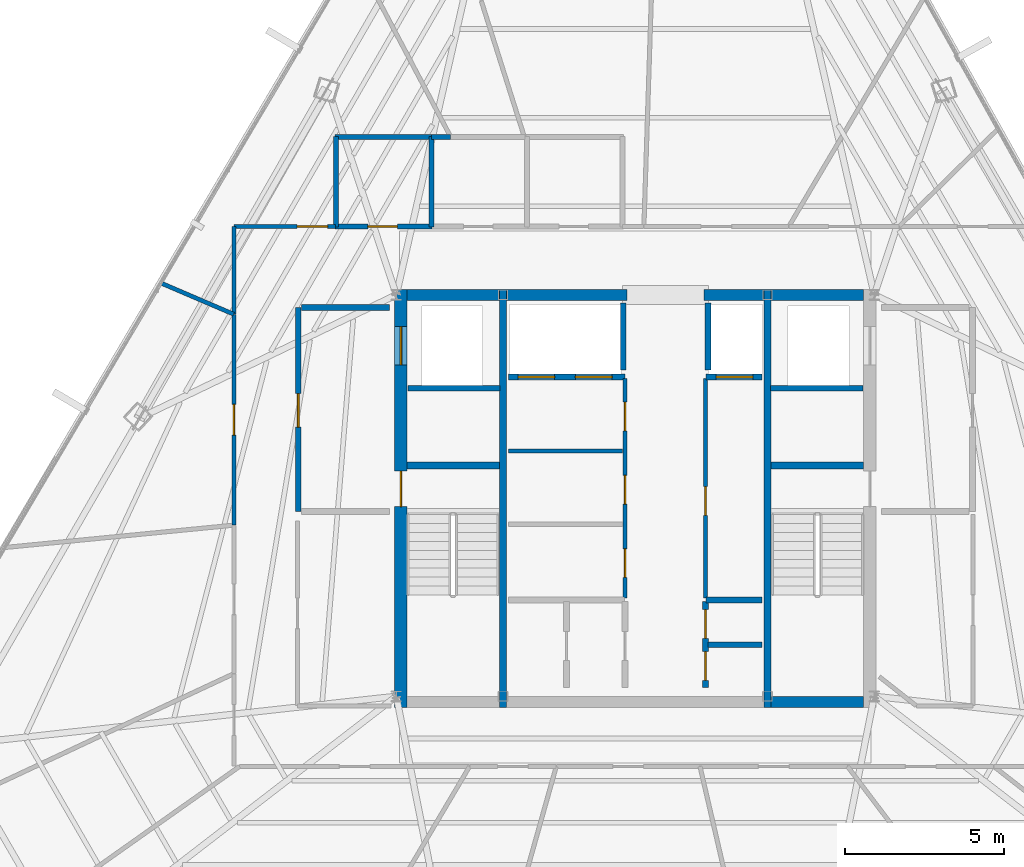
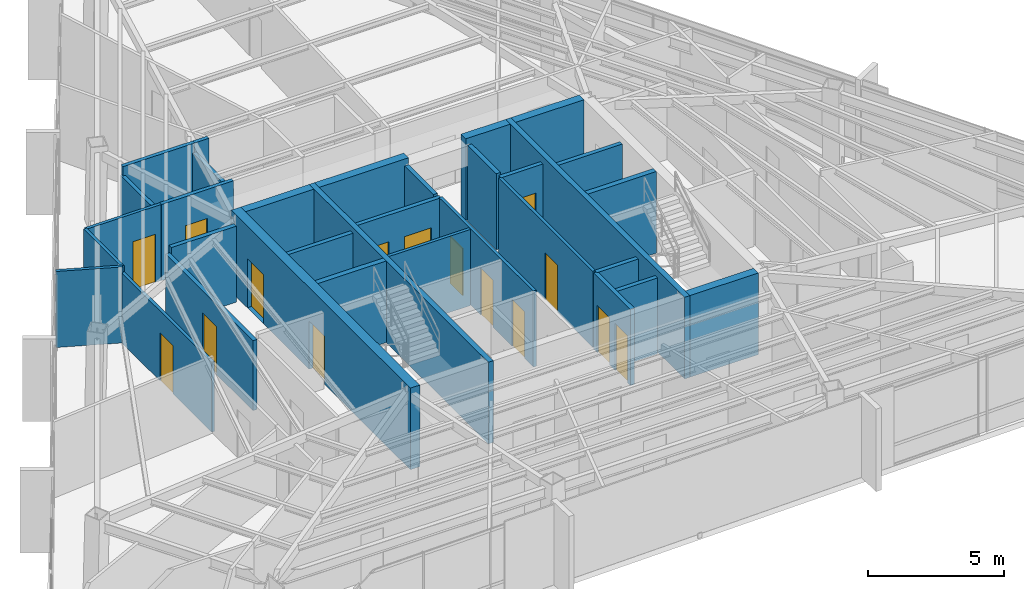
# One storey, part 40 of 44: 33 walls, 15 doors, 15 openings.
"""IFC4 building model written with IfcOpenShell, lengths in metres."""

from ifc_helpers import new_model, si_unit, direction, frame, frame_2d, origin, place, context, subcontext, project, spatial, rectangle, extrude, material, layer, layer_set, type_object, element, fill, save


model = new_model("IFC4")

# Units and contexts
model_context = context("Model", 3, precision=1e-05, world=origin(), true_north=direction((0.0, 1.0)))
body_context = subcontext(model_context, "Body", "Model", "MODEL_VIEW")
ifc_project = project(units=[si_unit("LENGTHUNIT", "METRE"), si_unit("AREAUNIT", "SQUARE_METRE"), si_unit("VOLUMEUNIT", "CUBIC_METRE"), si_unit("PLANEANGLEUNIT", "RADIAN"), si_unit("MASSUNIT", "GRAM", prefix="KILO")], contexts=[model_context])

# Site, building, storey
site_placement = place(None, origin())
site = spatial("IfcSite", under=ifc_project, at=site_placement, CompositionType="ELEMENT")
building_placement = place(site_placement, origin())
building = spatial("IfcBuilding", under=site, at=building_placement, Name="Caelisora Broadcast Tower", CompositionType="ELEMENT")
storey_placement = place(building_placement, frame((0.0, 0.0, 259.050048828125)))
storey = spatial("IfcBuildingStorey", under=building, at=storey_placement, Name="L68", CompositionType="ELEMENT", Elevation=259.050048828125)

# Wall, openings, doors
ifc_material_1 = material(Name="Concrete 40 MPa (AS 3600 N40)", Category="concrete")
ifc_layer_1 = layer(ifc_material_1, 0.39990234375, Name="Concrete 40 MPa (AS 3600 N40)")
ifc_layer_set_1 = layer_set([ifc_layer_1], Name="Concrete 40 MPa (AS 3600 N40)")
wall_type_1 = type_object("IfcWallType", Name="CW3", PredefinedType="SHEAR", material=ifc_layer_set_1)
wall_1_placement = place(storey_placement, frame((30.639892578125, 17.050048828125, 0.0), z_axis=(0.0, 0.0, 1.0), x_axis=(0.0, 1.0, 0.0)))
wall_1 = element("IfcWall", 1, at=wall_1_placement, inside=storey, type_object=wall_type_1, Name="L68 core shear wall CW3", PredefinedType="SHEAR", context=body_context, shape_type="SweptSolid", body=[
    extrude(rectangle(XDim=13.125, YDim=0.39990234375, at=frame_2d((6.5625, 0.0))), origin(), (0.0, 0.0, 1.0), 3.64990234375),
])
opening_1_placement = place(wall_1_placement, frame((6.300048828125, 0.0, 0.0)))
opening_1 = element("IfcOpeningElement", 2, at=opening_1_placement, cuts=wall_1, Name="Opening FD04", PredefinedType="OPENING", context=body_context, shape_type="SweptSolid", body=[
    extrude(rectangle(XDim=1.1201171875, YDim=2.14990234375, at=frame_2d((0.56005859375, 1.074951171875))), frame((0.0, 0.2119140625, 0.0), z_axis=(0.0, -1.0, 0.0), x_axis=(1.0, 0.0, 0.0)), (0.0, 0.0, 1.0), 0.423828125),
])
opening_2_placement = place(wall_1_placement, frame((10.75, 0.0, 0.0)))
opening_2 = element("IfcOpeningElement", 3, at=opening_2_placement, cuts=wall_1, Name="Opening LD04", PredefinedType="OPENING", context=body_context, shape_type="SweptSolid", body=[
    extrude(rectangle(XDim=1.199951171875, YDim=2.199951171875, at=frame_2d((0.60009765625, 1.10009765625))), frame((0.0, 0.2119140625, 0.0), z_axis=(0.0, -1.0, 0.0), x_axis=(1.0, 0.0, 0.0)), (0.0, 0.0, 1.0), 0.423828125),
])
ifc_material_2 = material(Name="Pressurised Fire-Isolated Stair Door", Category="steel")
door_type_1 = type_object("IfcDoorType", Name="FD04", OperationType="NOTDEFINED", PredefinedType="DOOR", material=ifc_material_2)
door_1_placement = place(opening_1_placement, origin())
door_1 = element("IfcDoor", 4, at=door_1_placement, inside=storey, type_object=door_type_1, Name="L68 door FD04 (L68-DR-ST1)", OperationType="SINGLE_SWING_LEFT", OverallHeight=2.14990234375, OverallWidth=1.1201171875, PredefinedType="DOOR", context=body_context, shape_type="SweptSolid", body=[
    extrude(rectangle(XDim=1.1201171875, YDim=2.14990234375, at=frame_2d((0.56005859375, 1.074951171875))), frame((0.0, 0.02490234375, 0.0), z_axis=(0.0, -1.0, 0.0), x_axis=(1.0, 0.0, 0.0)), (0.0, 0.0, 1.0), 0.050048828125),
])
fill(opening_1, door_1)
ifc_material_3 = material(Name="Emergency Firefighting Lift Sliding Landing Door", Category="steel")
door_type_2 = type_object("IfcDoorType", Name="LD04", OperationType="NOTDEFINED", PredefinedType="DOOR", material=ifc_material_3)
door_2_placement = place(opening_2_placement, origin())
door_2 = element("IfcDoor", 5, at=door_2_placement, inside=storey, type_object=door_type_2, Name="L68 door LD04 (L68-LD-FFL1)", OperationType="SLIDING_TO_LEFT", OverallHeight=2.199951171875, OverallWidth=1.199951171875, PredefinedType="DOOR", context=body_context, shape_type="SweptSolid", body=[
    extrude(rectangle(XDim=1.199951171875, YDim=2.199951171875, at=frame_2d((0.60009765625, 1.10009765625))), frame((0.0, 0.02490234375, 0.0), z_axis=(0.0, -1.0, 0.0), x_axis=(1.0, 0.0, 0.0)), (0.0, 0.0, 1.0), 0.050048828125),
])
fill(opening_2, door_2)

# Walls
ifc_layer_2 = layer(ifc_material_1, 0.35009765625, Name="Concrete 40 MPa (AS 3600 N40)")
ifc_layer_set_2 = layer_set([ifc_layer_2], Name="Concrete 40 MPa (AS 3600 N40)")
wall_type_2 = type_object("IfcWallType", Name="CW6", PredefinedType="SHEAR", material=ifc_layer_set_2)
for number, where, z_axis, x_axis, name in (
    (6, (42.260009765625, 17.22509765625, 0.0), (0.0, 0.0, 1.0), (1.0, 0.0, 0.0), "L68 core shear wall CW6"),
    (7, (30.840087890625, 30.0, 0.0), (0.0, 0.0, 1.0), (1.0, 0.0, 0.0), "L68 core shear wall CW6"),
):
    element("IfcWall", number, at=place(storey_placement, frame(where, z_axis=z_axis, x_axis=x_axis)), inside=storey, type_object=wall_type_2, Name=name, PredefinedType="SHEAR", context=body_context, shape_type="SweptSolid", body=[
        extrude(rectangle(XDim=2.89990234375, YDim=0.35009765625, at=frame_2d((1.449951171875, 0.0))), origin(), (0.0, 0.0, 1.0), 3.64990234375),
    ])
wall_2_placement = place(storey_placement, frame((33.9599609375, 30.0, 0.0), z_axis=(0.0, 0.0, 1.0), x_axis=(1.0, 0.0, 0.0)))
element("IfcWall", 8, at=wall_2_placement, inside=storey, type_object=wall_type_2, Name="L68 core shear wall CW6", PredefinedType="SHEAR", context=body_context, shape_type="SweptSolid", body=[
    extrude(rectangle(XDim=3.780029296875, YDim=0.35009765625, at=frame_2d((1.89013671875, 0.0))), origin(), (0.0, 0.0, 1.0), 3.64990234375),
])
wall_3_placement = place(storey_placement, frame((40.159912109375, 30.0, 0.0), z_axis=(0.0, 0.0, 1.0), x_axis=(1.0, 0.0, 0.0)))
element("IfcWall", 9, at=wall_3_placement, inside=storey, type_object=wall_type_2, Name="L68 core shear wall CW6", PredefinedType="SHEAR", context=body_context, shape_type="SweptSolid", body=[
    extrude(rectangle(XDim=1.880126953125, YDim=0.35009765625, at=frame_2d((0.93994140625, 0.0))), origin(), (0.0, 0.0, 1.0), 3.64990234375),
])
wall_4_placement = place(storey_placement, frame((42.260009765625, 30.0, 0.0), z_axis=(0.0, 0.0, 1.0), x_axis=(1.0, 0.0, 0.0)))
element("IfcWall", 10, at=wall_4_placement, inside=storey, type_object=wall_type_2, Name="L68 core shear wall CW6", PredefinedType="SHEAR", context=body_context, shape_type="SweptSolid", body=[
    extrude(rectangle(XDim=2.89990234375, YDim=0.35009765625, at=frame_2d((1.449951171875, 0.0))), origin(), (0.0, 0.0, 1.0), 3.64990234375),
])
ifc_material_4 = material(Name="Concrete 50 MPa (AS 3600 S50)", Category="concrete")
ifc_layer_3 = layer(ifc_material_4, 0.219970703125, Name="Concrete 50 MPa (AS 3600 S50)")
ifc_layer_set_3 = layer_set([ifc_layer_3], Name="Concrete 50 MPa (AS 3600 S50)")
wall_type_3 = type_object("IfcWallType", Name="CW7", PredefinedType="SHEAR", material=ifc_layer_set_3)
for number, where, z_axis, x_axis, name in (
    (11, (33.85009765625, 17.050048828125, 0.0), (0.0, 0.0, 1.0), (0.0, 1.0, 0.0), "L68 core shear wall CW7"),
    (12, (42.14990234375, 17.050048828125, 0.0), (0.0, 0.0, 1.0), (0.0, 1.0, 0.0), "L68 core shear wall CW7"),
):
    element("IfcWall", number, at=place(storey_placement, frame(where, z_axis=z_axis, x_axis=x_axis)), inside=storey, type_object=wall_type_3, Name=name, PredefinedType="SHEAR", context=body_context, shape_type="SweptSolid", body=[
        extrude(rectangle(XDim=13.125, YDim=0.219970703125, at=frame_2d((6.5625, 0.0))), origin(), (0.0, 0.0, 1.0), 3.64990234375),
    ])
for number, where, z_axis, x_axis, name in (
    (13, (30.840087890625, 24.639892578125, 0.0), (0.0, 0.0, 1.0), (1.0, 0.0, 0.0), "L68 core shear wall CW7"),
    (14, (42.260009765625, 24.639892578125, 0.0), (0.0, 0.0, 1.0), (1.0, 0.0, 0.0), "L68 core shear wall CW7"),
):
    element("IfcWall", number, at=place(storey_placement, frame(where, z_axis=z_axis, x_axis=x_axis)), inside=storey, type_object=wall_type_3, Name=name, PredefinedType="SHEAR", context=body_context, shape_type="SweptSolid", body=[
        extrude(rectangle(XDim=2.89990234375, YDim=0.219970703125, at=frame_2d((1.449951171875, 0.0))), origin(), (0.0, 0.0, 1.0), 3.64990234375),
    ])

# Wall, openings, doors
ifc_material_5 = material(Name="Fire-Rated Gypsum Shaft and Compartment Wall", Category="gypsum")
ifc_layer_4 = layer(ifc_material_5, 0.179931640625, Name="Fire-Rated Gypsum Shaft and Compartment Wall")
ifc_layer_set_4 = layer_set([ifc_layer_4], Name="Fire-Rated Gypsum Shaft and Compartment Wall")
wall_type_4 = type_object("IfcWallType", Name="PW2", PredefinedType="PARTITIONING", material=ifc_layer_set_4)
wall_5_placement = place(storey_placement, frame((34.02001953125, 27.419921875, 0.0), z_axis=(0.0, 0.0, 1.0), x_axis=(1.0, 0.0, 0.0)))
wall_5 = element("IfcWall", 15, at=wall_5_placement, inside=storey, type_object=wall_type_4, Name="L68 fire compartment wall PW2", PredefinedType="PARTITIONING", context=body_context, shape_type="SweptSolid", body=[
    extrude(rectangle(XDim=3.659912109375, YDim=0.179931640625, at=frame_2d((1.830078125, 0.0))), origin(), (0.0, 0.0, 1.0), 3.39990234375),
])
opening_3_placement = place(wall_5_placement, frame((0.300048828125, 0.0, 0.0)))
opening_3 = element("IfcOpeningElement", 16, at=opening_3_placement, cuts=wall_5, Name="Opening LD02", PredefinedType="OPENING", context=body_context, shape_type="SweptSolid", body=[
    extrude(rectangle(XDim=1.14990234375, YDim=2.199951171875, at=frame_2d((0.574951171875, 1.10009765625))), frame((0.0, 0.10205078125, 0.0), z_axis=(0.0, -1.0, 0.0), x_axis=(1.0, 0.0, 0.0)), (0.0, 0.0, 1.0), 0.203857421875),
])
opening_4_placement = place(wall_5_placement, frame((2.10009765625, 0.0, 0.0)))
opening_4 = element("IfcOpeningElement", 17, at=opening_4_placement, cuts=wall_5, Name="Opening LD02", PredefinedType="OPENING", context=body_context, shape_type="SweptSolid", body=[
    extrude(rectangle(XDim=1.14990234375, YDim=2.199951171875, at=frame_2d((0.574951171875, 1.10009765625))), frame((0.0, 0.10205078125, 0.0), z_axis=(0.0, -1.0, 0.0), x_axis=(1.0, 0.0, 0.0)), (0.0, 0.0, 1.0), 0.203857421875),
])
ifc_material_6 = material(Name="High-Speed Express Lift Sliding Landing Door", Category="steel")
door_type_3 = type_object("IfcDoorType", Name="LD02", OperationType="NOTDEFINED", PredefinedType="DOOR", material=ifc_material_6)
door_3_placement = place(opening_3_placement, origin())
door_3 = element("IfcDoor", 18, at=door_3_placement, inside=storey, type_object=door_type_3, Name="L68 door LD02 (L68-LD-PLH1)", OperationType="SLIDING_TO_RIGHT", OverallHeight=2.199951171875, OverallWidth=1.14990234375, PredefinedType="DOOR", context=body_context, shape_type="SweptSolid", body=[
    extrude(rectangle(XDim=1.14990234375, YDim=2.199951171875, at=frame_2d((0.574951171875, 1.10009765625))), frame((0.0, 0.02490234375, 0.0), z_axis=(0.0, -1.0, 0.0), x_axis=(1.0, 0.0, 0.0)), (0.0, 0.0, 1.0), 0.050048828125),
])
fill(opening_3, door_3)
door_4_placement = place(opening_4_placement, origin())
door_4 = element("IfcDoor", 19, at=door_4_placement, inside=storey, type_object=door_type_3, Name="L68 door LD02 (L68-LD-PLH2)", OperationType="SLIDING_TO_LEFT", OverallHeight=2.199951171875, OverallWidth=1.14990234375, PredefinedType="DOOR", context=body_context, shape_type="SweptSolid", body=[
    extrude(rectangle(XDim=1.14990234375, YDim=2.199951171875, at=frame_2d((0.574951171875, 1.10009765625))), frame((0.0, 0.02490234375, 0.0), z_axis=(0.0, -1.0, 0.0), x_axis=(1.0, 0.0, 0.0)), (0.0, 0.0, 1.0), 0.050048828125),
])
fill(opening_4, door_4)

# Wall, opening, door
wall_6_placement = place(storey_placement, frame((40.219970703125, 27.419921875, 0.0), z_axis=(0.0, 0.0, 1.0), x_axis=(1.0, 0.0, 0.0)))
wall_6 = element("IfcWall", 20, at=wall_6_placement, inside=storey, type_object=wall_type_4, Name="L68 fire compartment wall PW2", PredefinedType="PARTITIONING", context=body_context, shape_type="SweptSolid", body=[
    extrude(rectangle(XDim=1.760009765625, YDim=0.179931640625, at=frame_2d((0.8798828125, 0.0))), origin(), (0.0, 0.0, 1.0), 3.39990234375),
])
opening_5_placement = place(wall_6_placement, frame((0.320068359375, 0.0, 0.0)))
opening_5 = element("IfcOpeningElement", 21, at=opening_5_placement, cuts=wall_6, Name="Opening LD02", PredefinedType="OPENING", context=body_context, shape_type="SweptSolid", body=[
    extrude(rectangle(XDim=1.14990234375, YDim=2.199951171875, at=frame_2d((0.574951171875, 1.10009765625))), frame((0.0, 0.10205078125, 0.0), z_axis=(0.0, -1.0, 0.0), x_axis=(1.0, 0.0, 0.0)), (0.0, 0.0, 1.0), 0.203857421875),
])
door_5_placement = place(opening_5_placement, origin())
door_5 = element("IfcDoor", 22, at=door_5_placement, inside=storey, type_object=door_type_3, Name="L68 door LD02 (L68-LD-PLH3)", OperationType="SLIDING_TO_RIGHT", OverallHeight=2.199951171875, OverallWidth=1.14990234375, PredefinedType="DOOR", context=body_context, shape_type="SweptSolid", body=[
    extrude(rectangle(XDim=1.14990234375, YDim=2.199951171875, at=frame_2d((0.574951171875, 1.10009765625))), frame((0.0, 0.02490234375, 0.0), z_axis=(0.0, -1.0, 0.0), x_axis=(1.0, 0.0, 0.0)), (0.0, 0.0, 1.0), 0.050048828125),
])
fill(opening_5, door_5)

# Walls
for number, where, z_axis, x_axis, name in (
    (23, (37.6201171875, 27.639892578125, 0.0), (0.0, 0.0, 1.0), (0.0, 1.0, 0.0), "L68 fire compartment wall PW2"),
    (24, (40.280029296875, 27.639892578125, 0.0), (0.0, 0.0, 1.0), (0.0, 1.0, 0.0), "L68 fire compartment wall PW2"),
):
    element("IfcWall", number, at=place(storey_placement, frame(where, z_axis=z_axis, x_axis=x_axis)), inside=storey, type_object=wall_type_4, Name=name, PredefinedType="PARTITIONING", context=body_context, shape_type="SweptSolid", body=[
        extrude(rectangle(XDim=2.110107421875, YDim=0.179931640625, at=frame_2d((1.05517578125, 0.0))), origin(), (0.0, 0.0, 1.0), 3.39990234375),
    ])

# Wall, opening, door
wall_7_placement = place(storey_placement, frame((27.419921875, 23.199951171875, 0.0), z_axis=(0.0, 0.0, 1.0), x_axis=(0.0, 1.0, 0.0)))
wall_7 = element("IfcWall", 25, at=wall_7_placement, inside=storey, type_object=wall_type_4, Name="L68 fire compartment wall PW2", PredefinedType="PARTITIONING", context=body_context, shape_type="SweptSolid", body=[
    extrude(rectangle(XDim=6.400146484375, YDim=0.179931640625, at=frame_2d((3.2001953125, 0.0))), origin(), (0.0, 0.0, 1.0), 3.128662109375),
])
opening_6_placement = place(wall_7_placement, frame((2.64990234375, 0.0, 0.0)))
opening_6 = element("IfcOpeningElement", 26, at=opening_6_placement, cuts=wall_7, Name="Opening FD02", PredefinedType="OPENING", context=body_context, shape_type="SweptSolid", body=[
    extrude(rectangle(XDim=1.050048828125, YDim=2.14990234375, at=frame_2d((0.52490234375, 1.074951171875))), frame((0.0, 0.10205078125, 0.0), z_axis=(0.0, -1.0, 0.0), x_axis=(1.0, 0.0, 0.0)), (0.0, 0.0, 1.0), 0.203857421875),
])
ifc_material_7 = material(Name="Single-Leaf Steel Fire Lobby Door", Category="steel")
door_type_4 = type_object("IfcDoorType", Name="FD02", OperationType="NOTDEFINED", PredefinedType="DOOR", material=ifc_material_7)
door_6_placement = place(opening_6_placement, origin())
door_6 = element("IfcDoor", 27, at=door_6_placement, inside=storey, type_object=door_type_4, Name="L68 door FD02 (L68-DR-P01D1)", OperationType="SINGLE_SWING_LEFT", OverallHeight=2.14990234375, OverallWidth=1.050048828125, PredefinedType="DOOR", context=body_context, shape_type="SweptSolid", body=[
    extrude(rectangle(XDim=1.050048828125, YDim=2.14990234375, at=frame_2d((0.52490234375, 1.074951171875))), frame((0.0, 0.02490234375, 0.0), z_axis=(0.0, -1.0, 0.0), x_axis=(1.0, 0.0, 0.0)), (0.0, 0.0, 1.0), 0.050048828125),
])
fill(opening_6, door_6)

# Walls
wall_8_placement = place(storey_placement, frame((27.52001953125, 29.60009765625, 0.0), z_axis=(0.0, 0.0, 1.0), x_axis=(1.0, 0.0, 0.0)))
element("IfcWall", 28, at=wall_8_placement, inside=storey, type_object=wall_type_4, Name="L68 fire compartment wall PW2", PredefinedType="PARTITIONING", context=body_context, shape_type="SweptSolid", body=[
    extrude(rectangle(XDim=2.760009765625, YDim=0.179931640625, at=frame_2d((1.3798828125, 0.0))), origin(), (0.0, 0.0, 1.0), 3.39990234375),
])
for number, where, z_axis, x_axis, name in (
    (29, (30.860107421875, 27.070068359375, 0.0), (0.0, 0.0, 1.0), (1.0, 0.0, 0.0), "L68 fire compartment wall PW2"),
    (30, (42.239990234375, 27.070068359375, 0.0), (0.0, 0.0, 1.0), (1.0, 0.0, 0.0), "L68 fire compartment wall PW2"),
):
    element("IfcWall", number, at=place(storey_placement, frame(where, z_axis=z_axis, x_axis=x_axis)), inside=storey, type_object=wall_type_4, Name=name, PredefinedType="PARTITIONING", context=body_context, shape_type="SweptSolid", body=[
        extrude(rectangle(XDim=2.89990234375, YDim=0.179931640625, at=frame_2d((1.449951171875, 0.0))), origin(), (0.0, 0.0, 1.0), 3.39990234375),
    ])
wall_9_placement = place(storey_placement, frame((40.219970703125, 20.419921875, 0.0), z_axis=(0.0, 0.0, 1.0), x_axis=(1.0, 0.0, 0.0)))
element("IfcWall", 31, at=wall_9_placement, inside=storey, type_object=wall_type_4, Name="L68 fire compartment wall PW2", PredefinedType="PARTITIONING", context=body_context, shape_type="SweptSolid", body=[
    extrude(rectangle(XDim=1.760009765625, YDim=0.179931640625, at=frame_2d((0.8798828125, 0.0))), origin(), (0.0, 0.0, 1.0), 3.39990234375),
])
wall_10_placement = place(storey_placement, frame((40.280029296875, 19.02001953125, 0.0), z_axis=(0.0, 0.0, 1.0), x_axis=(1.0, 0.0, 0.0)))
element("IfcWall", 32, at=wall_10_placement, inside=storey, type_object=wall_type_4, Name="L68 fire compartment wall PW2", PredefinedType="PARTITIONING", context=body_context, shape_type="SweptSolid", body=[
    extrude(rectangle(XDim=1.699951171875, YDim=0.179931640625, at=frame_2d((0.85009765625, 0.0))), origin(), (0.0, 0.0, 1.0), 3.39990234375),
])

# Wall, openings, doors
wall_11_placement = place(storey_placement, frame((40.199951171875, 17.679931640625, 0.0), z_axis=(0.0, 0.0, 1.0), x_axis=(0.0, 1.0, 0.0)))
wall_11 = element("IfcWall", 33, at=wall_11_placement, inside=storey, type_object=wall_type_4, Name="L68 fire compartment wall PW2", PredefinedType="PARTITIONING", context=body_context, shape_type="SweptSolid", body=[
    extrude(rectangle(XDim=2.699951171875, YDim=0.179931640625, at=frame_2d((1.35009765625, 0.0))), origin(), (0.0, 0.0, 1.0), 3.39990234375),
])
opening_7_placement = place(wall_11_placement, frame((0.219970703125, 0.0, 0.0)))
opening_7 = element("IfcOpeningElement", 34, at=opening_7_placement, cuts=wall_11, Name="Opening FD03", PredefinedType="OPENING", context=body_context, shape_type="SweptSolid", body=[
    extrude(rectangle(XDim=0.89990234375, YDim=2.10009765625, at=frame_2d((0.449951171875, 1.050048828125))), frame((0.0, 0.10205078125, 0.0), z_axis=(0.0, -1.0, 0.0), x_axis=(1.0, 0.0, 0.0)), (0.0, 0.0, 1.0), 0.203857421875),
])
opening_8_placement = place(wall_11_placement, frame((1.5400390625, 0.0, 0.0)))
opening_8 = element("IfcOpeningElement", 35, at=opening_8_placement, cuts=wall_11, Name="Opening FD03", PredefinedType="OPENING", context=body_context, shape_type="SweptSolid", body=[
    extrude(rectangle(XDim=0.89990234375, YDim=2.10009765625, at=frame_2d((0.449951171875, 1.050048828125))), frame((0.0, 0.10205078125, 0.0), z_axis=(0.0, -1.0, 0.0), x_axis=(1.0, 0.0, 0.0)), (0.0, 0.0, 1.0), 0.203857421875),
])
ifc_material_8 = material(Name="Single-Leaf Steel Riser Fire Access Door", Category="steel")
door_type_5 = type_object("IfcDoorType", Name="FD03", OperationType="NOTDEFINED", PredefinedType="DOOR", material=ifc_material_8)
door_7_placement = place(opening_7_placement, origin())
door_7 = element("IfcDoor", 36, at=door_7_placement, inside=storey, type_object=door_type_5, Name="L68 door FD03 (L68-DR-P18D1)", OperationType="SINGLE_SWING_LEFT", OverallHeight=2.10009765625, OverallWidth=0.89990234375, PredefinedType="DOOR", context=body_context, shape_type="SweptSolid", body=[
    extrude(rectangle(XDim=0.89990234375, YDim=2.10009765625, at=frame_2d((0.449951171875, 1.050048828125))), frame((0.0, 0.02490234375, 0.0), z_axis=(0.0, -1.0, 0.0), x_axis=(1.0, 0.0, 0.0)), (0.0, 0.0, 1.0), 0.050048828125),
])
fill(opening_7, door_7)
door_8_placement = place(opening_8_placement, origin())
door_8 = element("IfcDoor", 37, at=door_8_placement, inside=storey, type_object=door_type_5, Name="L68 door FD03 (L68-DR-P18D2)", OperationType="SINGLE_SWING_RIGHT", OverallHeight=2.10009765625, OverallWidth=0.89990234375, PredefinedType="DOOR", context=body_context, shape_type="SweptSolid", body=[
    extrude(rectangle(XDim=0.89990234375, YDim=2.10009765625, at=frame_2d((0.449951171875, 1.050048828125))), frame((0.0, 0.02490234375, 0.0), z_axis=(0.0, -1.0, 0.0), x_axis=(1.0, 0.0, 0.0)), (0.0, 0.0, 1.0), 0.050048828125),
])
fill(opening_8, door_8)

# Wall
ifc_material_9 = material(Name="Acoustic Steel-Stud Plasterboard Partition", Category="gypsum")
ifc_layer_5 = layer(ifc_material_9, 0.1298828125, Name="Acoustic Steel-Stud Plasterboard Partition")
ifc_layer_set_5 = layer_set([ifc_layer_5], Name="Acoustic Steel-Stud Plasterboard Partition")
wall_type_5 = type_object("IfcWallType", Name="PW3", PredefinedType="PARTITIONING", material=ifc_layer_set_5)
wall_12_placement = place(storey_placement, frame((34.02001953125, 25.10009765625, 0.0), z_axis=(0.0, 0.0, 1.0), x_axis=(1.0, 0.0, 0.0)))
element("IfcWall", 38, at=wall_12_placement, inside=storey, type_object=wall_type_5, Name="L68 internal partition PW3", PredefinedType="PARTITIONING", context=body_context, shape_type="SweptSolid", body=[
    extrude(rectangle(XDim=3.580078125, YDim=0.1298828125, at=frame_2d((1.7900390625, 0.0))), origin(), (0.0, 0.0, 1.0), 3.39990234375),
])

# Wall, openings, doors
wall_13_placement = place(storey_placement, frame((37.679931640625, 20.47998046875, 0.0), z_axis=(0.0, 0.0, 1.0), x_axis=(0.0, 1.0, 0.0)))
wall_13 = element("IfcWall", 39, at=wall_13_placement, inside=storey, type_object=wall_type_5, Name="L68 internal partition PW3", PredefinedType="PARTITIONING", context=body_context, shape_type="SweptSolid", body=[
    extrude(rectangle(XDim=6.89990234375, YDim=0.1298828125, at=frame_2d((3.449951171875, 0.0))), origin(), (0.0, 0.0, 1.0), 3.39990234375),
])
opening_9_placement = place(wall_13_placement, frame((0.64990234375, 0.0, 0.0)))
opening_9 = element("IfcOpeningElement", 40, at=opening_9_placement, cuts=wall_13, Name="Opening FD03", PredefinedType="OPENING", context=body_context, shape_type="SweptSolid", body=[
    extrude(rectangle(XDim=0.89990234375, YDim=2.10009765625, at=frame_2d((0.449951171875, 1.050048828125))), frame((0.0, 0.076904296875, 0.0), z_axis=(0.0, -1.0, 0.0), x_axis=(1.0, 0.0, 0.0)), (0.0, 0.0, 1.0), 0.15380859375),
])
opening_10_placement = place(wall_13_placement, frame((2.949951171875, 0.0, 0.0)))
opening_10 = element("IfcOpeningElement", 41, at=opening_10_placement, cuts=wall_13, Name="Opening FD03", PredefinedType="OPENING", context=body_context, shape_type="SweptSolid", body=[
    extrude(rectangle(XDim=0.89990234375, YDim=2.10009765625, at=frame_2d((0.449951171875, 1.050048828125))), frame((0.0, 0.076904296875, 0.0), z_axis=(0.0, -1.0, 0.0), x_axis=(1.0, 0.0, 0.0)), (0.0, 0.0, 1.0), 0.15380859375),
])
opening_11_placement = place(wall_13_placement, frame((5.25, 0.0, 0.0)))
opening_11 = element("IfcOpeningElement", 42, at=opening_11_placement, cuts=wall_13, Name="Opening FD03", PredefinedType="OPENING", context=body_context, shape_type="SweptSolid", body=[
    extrude(rectangle(XDim=0.89990234375, YDim=2.10009765625, at=frame_2d((0.449951171875, 1.050048828125))), frame((0.0, 0.076904296875, 0.0), z_axis=(0.0, -1.0, 0.0), x_axis=(1.0, 0.0, 0.0)), (0.0, 0.0, 1.0), 0.15380859375),
])
door_9_placement = place(opening_9_placement, origin())
door_9 = element("IfcDoor", 43, at=door_9_placement, inside=storey, type_object=door_type_5, Name="L68 door FD03 (L68-DR-P13D1)", OperationType="SINGLE_SWING_LEFT", OverallHeight=2.10009765625, OverallWidth=0.89990234375, PredefinedType="DOOR", context=body_context, shape_type="SweptSolid", body=[
    extrude(rectangle(XDim=0.89990234375, YDim=2.10009765625, at=frame_2d((0.449951171875, 1.050048828125))), frame((0.0, 0.02490234375, 0.0), z_axis=(0.0, -1.0, 0.0), x_axis=(1.0, 0.0, 0.0)), (0.0, 0.0, 1.0), 0.050048828125),
])
fill(opening_9, door_9)
door_10_placement = place(opening_10_placement, origin())
door_10 = element("IfcDoor", 44, at=door_10_placement, inside=storey, type_object=door_type_5, Name="L68 door FD03 (L68-DR-P13D2)", OperationType="SINGLE_SWING_RIGHT", OverallHeight=2.10009765625, OverallWidth=0.89990234375, PredefinedType="DOOR", context=body_context, shape_type="SweptSolid", body=[
    extrude(rectangle(XDim=0.89990234375, YDim=2.10009765625, at=frame_2d((0.449951171875, 1.050048828125))), frame((0.0, 0.02490234375, 0.0), z_axis=(0.0, -1.0, 0.0), x_axis=(1.0, 0.0, 0.0)), (0.0, 0.0, 1.0), 0.050048828125),
])
fill(opening_10, door_10)
door_11_placement = place(opening_11_placement, origin())
door_11 = element("IfcDoor", 45, at=door_11_placement, inside=storey, type_object=door_type_5, Name="L68 door FD03 (L68-DR-P13D3)", OperationType="SINGLE_SWING_LEFT", OverallHeight=2.10009765625, OverallWidth=0.89990234375, PredefinedType="DOOR", context=body_context, shape_type="SweptSolid", body=[
    extrude(rectangle(XDim=0.89990234375, YDim=2.10009765625, at=frame_2d((0.449951171875, 1.050048828125))), frame((0.0, 0.02490234375, 0.0), z_axis=(0.0, -1.0, 0.0), x_axis=(1.0, 0.0, 0.0)), (0.0, 0.0, 1.0), 0.050048828125),
])
fill(opening_11, door_11)

# Wall, opening, door
wall_14_placement = place(storey_placement, frame((40.199951171875, 20.47998046875, 0.0), z_axis=(0.0, 0.0, 1.0), x_axis=(0.0, 1.0, 0.0)))
wall_14 = element("IfcWall", 46, at=wall_14_placement, inside=storey, type_object=wall_type_5, Name="L68 internal partition PW3", PredefinedType="PARTITIONING", context=body_context, shape_type="SweptSolid", body=[
    extrude(rectangle(XDim=6.89990234375, YDim=0.1298828125, at=frame_2d((3.449951171875, 0.0))), origin(), (0.0, 0.0, 1.0), 3.39990234375),
])
opening_12_placement = place(wall_14_placement, frame((2.60009765625, 0.0, 0.0)))
opening_12 = element("IfcOpeningElement", 47, at=opening_12_placement, cuts=wall_14, Name="Opening FD03", PredefinedType="OPENING", context=body_context, shape_type="SweptSolid", body=[
    extrude(rectangle(XDim=0.89990234375, YDim=2.10009765625, at=frame_2d((0.449951171875, 1.050048828125))), frame((0.0, 0.076904296875, 0.0), z_axis=(0.0, -1.0, 0.0), x_axis=(1.0, 0.0, 0.0)), (0.0, 0.0, 1.0), 0.15380859375),
])
door_12_placement = place(opening_12_placement, origin())
door_12 = element("IfcDoor", 48, at=door_12_placement, inside=storey, type_object=door_type_5, Name="L68 door FD03 (L68-DR-P14D1)", OperationType="SINGLE_SWING_RIGHT", OverallHeight=2.10009765625, OverallWidth=0.89990234375, PredefinedType="DOOR", context=body_context, shape_type="SweptSolid", body=[
    extrude(rectangle(XDim=0.89990234375, YDim=2.10009765625, at=frame_2d((0.449951171875, 1.050048828125))), frame((0.0, 0.02490234375, 0.0), z_axis=(0.0, -1.0, 0.0), x_axis=(1.0, 0.0, 0.0)), (0.0, 0.0, 1.0), 0.050048828125),
])
fill(opening_12, door_12)

wall_15_placement = place(storey_placement, frame((25.39990234375, 22.77490234375, 0.0), z_axis=(0.0, 0.0, 1.0), x_axis=(0.0, 1.0, 0.0)))
wall_15 = element("IfcWall", 49, at=wall_15_placement, inside=storey, type_object=wall_type_5, Name="L68 internal partition PW3", PredefinedType="PARTITIONING", context=body_context, shape_type="SweptSolid", body=[
    extrude(rectangle(XDim=6.610107421875, YDim=0.1298828125, at=frame_2d((3.30517578125, 0.0))), origin(), (0.0, 0.0, 1.0), 3.128662109375),
])
opening_13_placement = place(wall_15_placement, frame((2.824951171875, 0.0, 0.0)))
opening_13 = element("IfcOpeningElement", 50, at=opening_13_placement, cuts=wall_15, Name="Opening D01", PredefinedType="OPENING", context=body_context, shape_type="SweptSolid", body=[
    extrude(rectangle(XDim=0.9599609375, YDim=2.14990234375, at=frame_2d((0.47998046875, 1.074951171875))), frame((0.0, 0.076904296875, 0.0), z_axis=(0.0, -1.0, 0.0), x_axis=(1.0, 0.0, 0.0)), (0.0, 0.0, 1.0), 0.15380859375),
])
ifc_material_10 = material(Name="Solid-Core Timber Acoustic Office Door", Category="wood")
door_type_6 = type_object("IfcDoorType", Name="D01", OperationType="NOTDEFINED", PredefinedType="DOOR", material=ifc_material_10)
door_13_placement = place(opening_13_placement, origin())
door_13 = element("IfcDoor", 51, at=door_13_placement, inside=storey, type_object=door_type_6, Name="L68 door D01 (L68-DR-P45D1)", OperationType="SINGLE_SWING_RIGHT", OverallHeight=2.14990234375, OverallWidth=0.9599609375, PredefinedType="DOOR", context=body_context, shape_type="SweptSolid", body=[
    extrude(rectangle(XDim=0.9599609375, YDim=2.14990234375, at=frame_2d((0.47998046875, 1.074951171875))), frame((0.0, 0.02490234375, 0.0), z_axis=(0.0, -1.0, 0.0), x_axis=(1.0, 0.0, 0.0)), (0.0, 0.0, 1.0), 0.050048828125),
])
fill(opening_13, door_13)

wall_16_placement = place(storey_placement, frame((25.405029296875, 32.14990234375, 0.0), z_axis=(0.0, 0.0, 1.0), x_axis=(1.0, 0.0, 0.0)))
wall_16 = element("IfcWall", 52, at=wall_16_placement, inside=storey, type_object=wall_type_5, Name="L68 internal partition PW3", PredefinedType="PARTITIONING", context=body_context, shape_type="SweptSolid", body=[
    extrude(rectangle(XDim=3.18994140625, YDim=0.1298828125, at=frame_2d((1.594970703125, 0.0))), origin(), (0.0, 0.0, 1.0), 3.39990234375),
])
opening_14_placement = place(wall_16_placement, frame((1.97998046875, 0.0, 0.0)))
opening_14 = element("IfcOpeningElement", 53, at=opening_14_placement, cuts=wall_16, Name="Opening D01", PredefinedType="OPENING", context=body_context, shape_type="SweptSolid", body=[
    extrude(rectangle(XDim=0.9599609375, YDim=2.14990234375, at=frame_2d((0.47998046875, 1.074951171875))), frame((0.0, 0.076904296875, 0.0), z_axis=(0.0, -1.0, 0.0), x_axis=(1.0, 0.0, 0.0)), (0.0, 0.0, 1.0), 0.15380859375),
])
door_14_placement = place(opening_14_placement, origin())
door_14 = element("IfcDoor", 54, at=door_14_placement, inside=storey, type_object=door_type_6, Name="L68 door D01 (L68-DR-P73D1)", OperationType="SINGLE_SWING_RIGHT", OverallHeight=2.14990234375, OverallWidth=0.9599609375, PredefinedType="DOOR", context=body_context, shape_type="SweptSolid", body=[
    extrude(rectangle(XDim=0.9599609375, YDim=2.14990234375, at=frame_2d((0.47998046875, 1.074951171875))), frame((0.0, 0.02490234375, 0.0), z_axis=(0.0, -1.0, 0.0), x_axis=(1.0, 0.0, 0.0)), (0.0, 0.0, 1.0), 0.050048828125),
])
fill(opening_14, door_14)

# Walls
wall_17_placement = place(storey_placement, frame((25.39990234375, 29.39501953125, 0.0), z_axis=(0.0, 0.0, 1.0), x_axis=(0.0, 1.0, 0.0)))
element("IfcWall", 55, at=wall_17_placement, inside=storey, type_object=wall_type_5, Name="L68 internal partition PW3", PredefinedType="PARTITIONING", context=body_context, shape_type="SweptSolid", body=[
    extrude(rectangle(XDim=2.75, YDim=0.1298828125, at=frame_2d((1.375, 0.0))), origin(), (0.0, 0.0, 1.0), 3.39990234375),
])
wall_18_placement = place(storey_placement, frame((23.12548828125, 30.36328125, 0.0), z_axis=(0.0, 0.0, 1.0), x_axis=(0.919359741606, -0.393417927292, 0.0)))
element("IfcWall", 56, at=wall_18_placement, inside=storey, type_object=wall_type_5, Name="L68 internal partition PW3", PredefinedType="PARTITIONING", context=body_context, shape_type="SweptSolid", body=[
    extrude(rectangle(XDim=2.468505859375, YDim=0.1298828125, at=frame_2d((1.234375, 0.0))), origin(), (0.0, 0.0, 1.0), 3.39990234375),
])

# Wall, opening, door
ifc_material_11 = material(Name="Moisture-Resistant Wet Plumbing Service Wall", Category="gypsum")
ifc_layer_6 = layer(ifc_material_11, 0.159912109375, Name="Moisture-Resistant Wet Plumbing Service Wall")
ifc_layer_set_6 = layer_set([ifc_layer_6], Name="Moisture-Resistant Wet Plumbing Service Wall")
wall_type_6 = type_object("IfcWallType", Name="PW4", PredefinedType="PLUMBINGWALL", material=ifc_layer_set_6)
wall_19_placement = place(storey_placement, frame((28.574951171875, 32.14990234375, 0.0), z_axis=(0.0, 0.0, 1.0), x_axis=(1.0, 0.0, 0.0)))
wall_19 = element("IfcWall", 57, at=wall_19_placement, inside=storey, type_object=wall_type_6, Name="L68 wet plumbing wall PW4", PredefinedType="PLUMBINGWALL", context=body_context, shape_type="SweptSolid", body=[
    extrude(rectangle(XDim=3.050048828125, YDim=0.159912109375, at=frame_2d((1.52490234375, 0.0))), origin(), (0.0, 0.0, 1.0), 3.39990234375),
])
opening_15_placement = place(wall_19_placement, frame((1.034912109375, 0.0, 0.0)))
opening_15 = element("IfcOpeningElement", 58, at=opening_15_placement, cuts=wall_19, Name="Opening D03", PredefinedType="OPENING", context=body_context, shape_type="SweptSolid", body=[
    extrude(rectangle(XDim=0.919921875, YDim=2.10009765625, at=frame_2d((0.4599609375, 1.050048828125))), frame((0.0, 0.092041015625, 0.0), z_axis=(0.0, -1.0, 0.0), x_axis=(1.0, 0.0, 0.0)), (0.0, 0.0, 1.0), 0.183837890625),
])
ifc_material_12 = material(Name="Laminate Moisture-Resistant Amenity WC Door", Category="wood")
door_type_7 = type_object("IfcDoorType", Name="D03", OperationType="NOTDEFINED", PredefinedType="DOOR", material=ifc_material_12)
door_15_placement = place(opening_15_placement, origin())
door_15 = element("IfcDoor", 59, at=door_15_placement, inside=storey, type_object=door_type_7, Name="L68 door D03 (L68-DR-P19D1)", OperationType="SINGLE_SWING_LEFT", OverallHeight=2.10009765625, OverallWidth=0.919921875, PredefinedType="DOOR", context=body_context, shape_type="SweptSolid", body=[
    extrude(rectangle(XDim=0.919921875, YDim=2.10009765625, at=frame_2d((0.4599609375, 1.050048828125))), frame((0.0, 0.02490234375, 0.0), z_axis=(0.0, -1.0, 0.0), x_axis=(1.0, 0.0, 0.0)), (0.0, 0.0, 1.0), 0.050048828125),
])
fill(opening_15, door_15)

# Walls
wall_20_placement = place(storey_placement, frame((28.574951171875, 34.949951171875, 0.0), z_axis=(0.0, 0.0, 1.0), x_axis=(1.0, 0.0, 0.0)))
element("IfcWall", 60, at=wall_20_placement, inside=storey, type_object=wall_type_6, Name="L68 wet plumbing wall PW4", PredefinedType="PLUMBINGWALL", context=body_context, shape_type="SweptSolid", body=[
    extrude(rectangle(XDim=3.050048828125, YDim=0.159912109375, at=frame_2d((1.52490234375, 0.0))), origin(), (0.0, 0.0, 1.0), 3.39990234375),
])
for number, where, z_axis, x_axis, name in (
    (61, (31.60009765625, 32.125, 0.0), (0.0, 0.0, 1.0), (0.0, 1.0, 0.0), "L68 wet plumbing wall PW4"),
    (62, (28.60009765625, 32.125, 0.0), (0.0, 0.0, 1.0), (0.0, 1.0, 0.0), "L68 wet plumbing wall PW4"),
):
    element("IfcWall", number, at=place(storey_placement, frame(where, z_axis=z_axis, x_axis=x_axis)), inside=storey, type_object=wall_type_6, Name=name, PredefinedType="PLUMBINGWALL", context=body_context, shape_type="SweptSolid", body=[
        extrude(rectangle(XDim=2.85009765625, YDim=0.159912109375, at=frame_2d((1.425048828125, 0.0))), origin(), (0.0, 0.0, 1.0), 2.98486328125),
    ])
wall_21_placement = place(storey_placement, frame((31.60498046875, 34.949951171875, 0.0), z_axis=(0.0, 0.0, 1.0), x_axis=(1.0, 0.0, 0.0)))
element("IfcWall", 63, at=wall_21_placement, inside=storey, type_object=wall_type_6, Name="L68 wet plumbing wall PW4", PredefinedType="PLUMBINGWALL", context=body_context, shape_type="SweptSolid", body=[
    extrude(rectangle(XDim=0.60009765625, YDim=0.159912109375, at=frame_2d((0.300048828125, 0.0))), origin(), (0.0, 0.0, 1.0), 3.39990234375),
])

save(model, "model.ifc")
